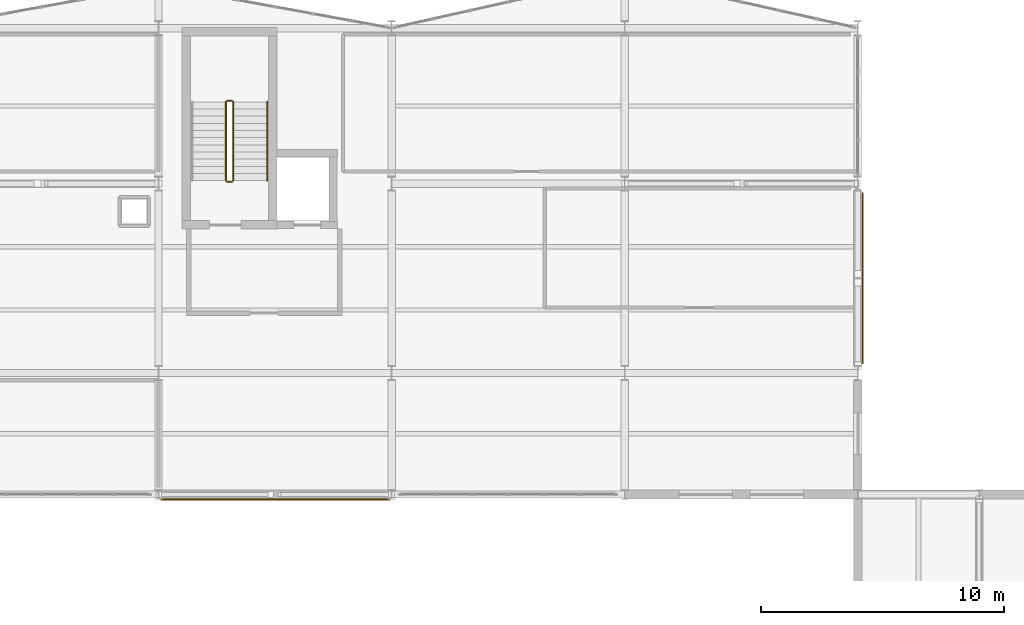
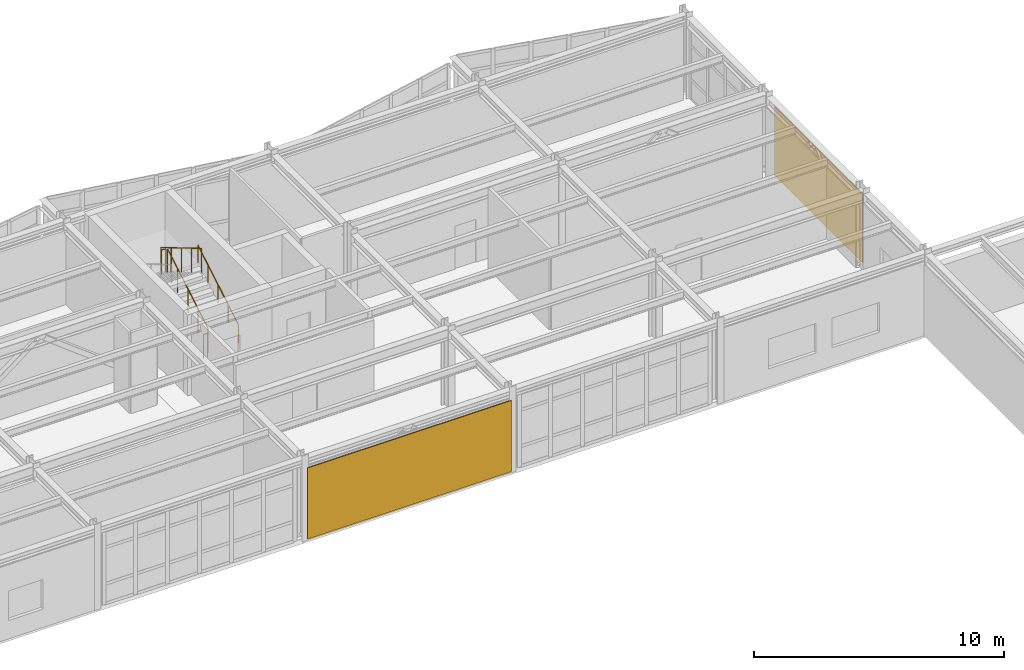
# One storey, part 98 of 99: 5 railings, 2 coverings.
"""IFC4 building model written with IfcOpenShell, lengths in metres."""

from ifc_helpers import new_model, si_unit, direction, frame, origin, origin_2d, place, context, subcontext, project, spatial, rectangle, circle, extrude, material, layer, layer_set, type_object, element, save


model = new_model("IFC4")

# Units and contexts
model_context = context("Model", 3, precision=1e-05, world=origin(), true_north=direction((0.0, 1.0)))
body_context = subcontext(model_context, "Body", "Model", "MODEL_VIEW")
ifc_project = project(units=[si_unit("LENGTHUNIT", "METRE"), si_unit("AREAUNIT", "SQUARE_METRE"), si_unit("VOLUMEUNIT", "CUBIC_METRE"), si_unit("PLANEANGLEUNIT", "RADIAN"), si_unit("MASSUNIT", "GRAM", prefix="KILO")], contexts=[model_context])

# Site, building, storey
site_placement = place(None, origin())
site = spatial("IfcSite", under=ifc_project, at=site_placement, CompositionType="ELEMENT")
building_placement = place(site_placement, origin())
building = spatial("IfcBuilding", under=site, at=building_placement, Name="Nordkorset Police Headquarters", CompositionType="ELEMENT")
storey_placement = place(building_placement, frame((0.0, 0.0, 5.25)))
storey = spatial("IfcBuildingStorey", under=building, at=storey_placement, Name="L01", CompositionType="ELEMENT", Elevation=5.25)

# Coverings
ifc_material_1 = material(Name="Nordic granite cladding", Category="masonry")
ifc_layer_1 = layer(ifc_material_1, 0.050048828125, Name="Nordic granite cladding")
ifc_layer_set_1 = layer_set([ifc_layer_1], Name="Nordic granite cladding")
covering_type = type_object("IfcCoveringType", Name="Cladding_Nordic_Granite", PredefinedType="CLADDING", material=ifc_layer_set_1)
covering_1_placement = place(storey_placement, frame((62.39990234375, 97.39501953125, 0.074951171875), z_axis=(0.0, 0.0, 1.0), x_axis=(1.0, 0.0, 0.0)))
element("IfcCovering", 1, at=covering_1_placement, inside=storey, type_object=covering_type, Name="Nordic Granite Rainscreen Cladding L01 V2S-3", PredefinedType="CLADDING", context=body_context, shape_type="SweptSolid", body=[
    extrude(rectangle(XDim=9.4326171875, YDim=0.050048828125, at=origin_2d()), origin(), (0.0, 0.0, 1.0), 3.47998046875),
])
covering_2_placement = place(storey_placement, frame((86.60498046875, 106.5, 0.074951171875), z_axis=(0.0, 0.0, 1.0), x_axis=(0.0, 1.0, 0.0)))
element("IfcCovering", 2, at=covering_2_placement, inside=storey, type_object=covering_type, Name="Nordic Granite Rainscreen Cladding L01 V2E-0B", PredefinedType="CLADDING", context=body_context, shape_type="SweptSolid", body=[
    extrude(rectangle(XDim=7.0458984375, YDim=0.050048828125, at=origin_2d()), origin(), (0.0, 0.0, 1.0), 3.35009765625),
])

# Railings
ifc_material_2 = material(Name="Steel S355J2", Category="steel")
ifc_layer_2 = layer(ifc_material_2, 0.048095703125, Name="Steel S355J2")
ifc_layer_set_2 = layer_set([ifc_layer_2], Name="Steel S355J2")
railing_type_1 = type_object("IfcRailingType", Name="Railing_Handrail_900", PredefinedType="HANDRAIL", material=ifc_layer_set_2)
railing_1_placement = place(storey_placement, frame((62.074951171875, 110.52490234375, 0.175048828125)))
element("IfcRailing", 3, at=railing_1_placement, inside=storey, type_object=railing_type_1, Name="L01 ST-02 stair handrail 1", PredefinedType="HANDRAIL", context=body_context, shape_type="SweptSolid", body=[
    extrude(circle(Radius=0.02392578125, at=origin_2d()), frame((0.0, 0.0, 0.8759765625), z_axis=(0.0, 0.860057060016, 0.510197857224), x_axis=(-1.0, 0.0, 0.0)), (0.0, 0.0, 1.0), 3.773193359375),
    extrude(circle(Radius=0.02099609375, at=origin_2d()), origin(), (0.0, 0.0, 1.0), 0.851806640625),
    extrude(circle(Radius=0.02099609375, at=origin_2d()), frame((0.0, 0.811279296875, 0.481201171875)), (0.0, 0.0, 1.0), 0.851806640625),
    extrude(circle(Radius=0.02099609375, at=origin_2d()), frame((0.0, 1.62255859375, 0.96240234375)), (0.0, 0.0, 1.0), 0.851806640625),
    extrude(circle(Radius=0.02099609375, at=origin_2d()), frame((0.0, 2.433837890625, 1.44384765625)), (0.0, 0.0, 1.0), 0.851806640625),
    extrude(circle(Radius=0.02099609375, at=origin_2d()), frame((0.0, 3.2451171875, 1.925048828125)), (0.0, 0.0, 1.0), 0.851806640625),
])
ifc_material_3 = material(Name="Steel S355J2", Category="steel")
ifc_layer_3 = layer(ifc_material_3, 0.050048828125, Name="Steel S355J2")
ifc_layer_set_3 = layer_set([ifc_layer_3], Name="Steel S355J2")
railing_type_2 = type_object("IfcRailingType", Name="Railing_StairGuard_1200", PredefinedType="GUARDRAIL", material=ifc_layer_set_3)
railing_2_placement = place(storey_placement, frame((60.675048828125, 110.52490234375, 0.175048828125)))
element("IfcRailing", 4, at=railing_2_placement, inside=storey, type_object=railing_type_2, Name="L01 ST-02 stair guard 1", PredefinedType="GUARDRAIL", context=body_context, shape_type="SweptSolid", body=[
    extrude(circle(Radius=0.02392578125, at=origin_2d()), frame((0.0, 0.0, 1.17578125), z_axis=(0.0, 0.860057060016, 0.510197857224), x_axis=(-1.0, 0.0, 0.0)), (0.0, 0.0, 1.0), 3.773193359375),
    extrude(circle(Radius=0.02099609375, at=origin_2d()), origin(), (0.0, 0.0, 1.0), 1.15185546875),
    extrude(circle(Radius=0.02099609375, at=origin_2d()), frame((0.0, 0.811279296875, 0.481201171875)), (0.0, 0.0, 1.0), 1.15185546875),
    extrude(circle(Radius=0.02099609375, at=origin_2d()), frame((0.0, 1.62255859375, 0.96240234375)), (0.0, 0.0, 1.0), 1.15185546875),
    extrude(circle(Radius=0.02099609375, at=origin_2d()), frame((0.0, 2.433837890625, 1.44384765625)), (0.0, 0.0, 1.0), 1.15185546875),
    extrude(circle(Radius=0.02099609375, at=origin_2d()), frame((0.0, 3.2451171875, 1.925048828125)), (0.0, 0.0, 1.0), 1.15185546875),
])
railing_3_placement = place(storey_placement, frame((60.625, 113.820068359375, 2.10009765625)))
element("IfcRailing", 5, at=railing_3_placement, inside=storey, type_object=railing_type_2, Name="L01 ST-02 stair guard 2", PredefinedType="GUARDRAIL", context=body_context, shape_type="SweptSolid", body=[
    extrude(circle(Radius=0.02392578125, at=origin_2d()), frame((0.0, 0.0, 1.17578125), z_axis=(-1.0, 0.0, 0.0), x_axis=(0.0, -1.0, 0.0)), (0.0, 0.0, 1.0), 0.199951171875),
    extrude(circle(Radius=0.02099609375, at=origin_2d()), origin(), (0.0, 0.0, 1.0), 1.15185546875),
    extrude(circle(Radius=0.02099609375, at=origin_2d()), frame((-0.199951171875, 0.0, 0.0)), (0.0, 0.0, 1.0), 1.15185546875),
])
railing_4_placement = place(storey_placement, frame((60.375, 113.77001953125, 2.27490234375)))
element("IfcRailing", 6, at=railing_4_placement, inside=storey, type_object=railing_type_2, Name="L01 ST-02 stair guard 3", PredefinedType="GUARDRAIL", context=body_context, shape_type="SweptSolid", body=[
    extrude(circle(Radius=0.02392578125, at=origin_2d()), frame((0.0, 0.0, 1.17578125), z_axis=(0.0, -0.860057060016, 0.510197857224), x_axis=(1.0, 0.0, 0.0)), (0.0, 0.0, 1.0), 3.773193359375),
    extrude(circle(Radius=0.02099609375, at=origin_2d()), origin(), (0.0, 0.0, 1.0), 1.15185546875),
    extrude(circle(Radius=0.02099609375, at=origin_2d()), frame((0.0, -0.811279296875, 0.481201171875)), (0.0, 0.0, 1.0), 1.15185546875),
    extrude(circle(Radius=0.02099609375, at=origin_2d()), frame((0.0, -1.62255859375, 0.96240234375)), (0.0, 0.0, 1.0), 1.15185546875),
    extrude(circle(Radius=0.02099609375, at=origin_2d()), frame((0.0, -2.433837890625, 1.44384765625)), (0.0, 0.0, 1.0), 1.15185546875),
    extrude(circle(Radius=0.02099609375, at=origin_2d()), frame((0.0, -3.2451171875, 1.925048828125)), (0.0, 0.0, 1.0), 1.15185546875),
])
railing_5_placement = place(storey_placement, frame((60.625, 110.47509765625, 0.0)))
element("IfcRailing", 7, at=railing_5_placement, inside=storey, type_object=railing_type_2, Name="L01 ST-02 stair guard 4", PredefinedType="GUARDRAIL", context=body_context, shape_type="SweptSolid", body=[
    extrude(circle(Radius=0.02392578125, at=origin_2d()), frame((0.0, 0.0, 1.17578125), z_axis=(-1.0, 0.0, 0.0), x_axis=(0.0, -1.0, 0.0)), (0.0, 0.0, 1.0), 0.199951171875),
    extrude(circle(Radius=0.02099609375, at=origin_2d()), origin(), (0.0, 0.0, 1.0), 1.15185546875),
    extrude(circle(Radius=0.02099609375, at=origin_2d()), frame((-0.199951171875, 0.0, 0.0)), (0.0, 0.0, 1.0), 1.15185546875),
])

save(model, "model.ifc")
